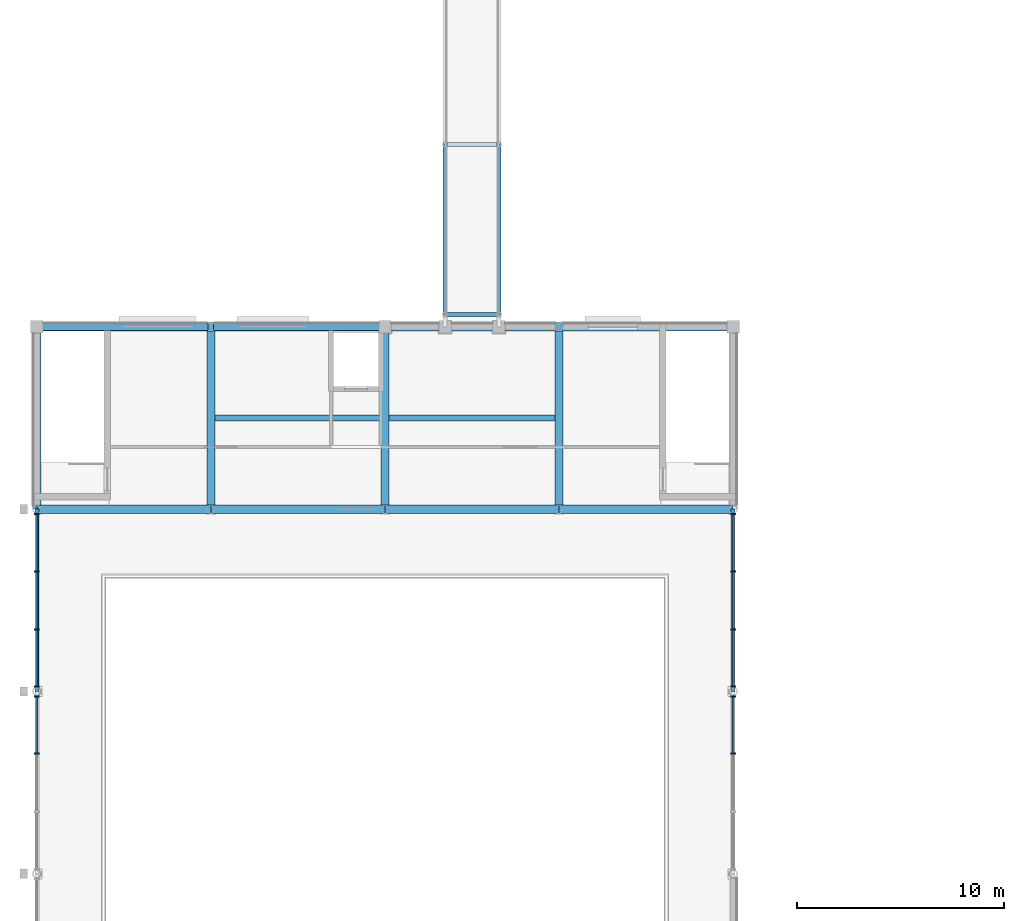
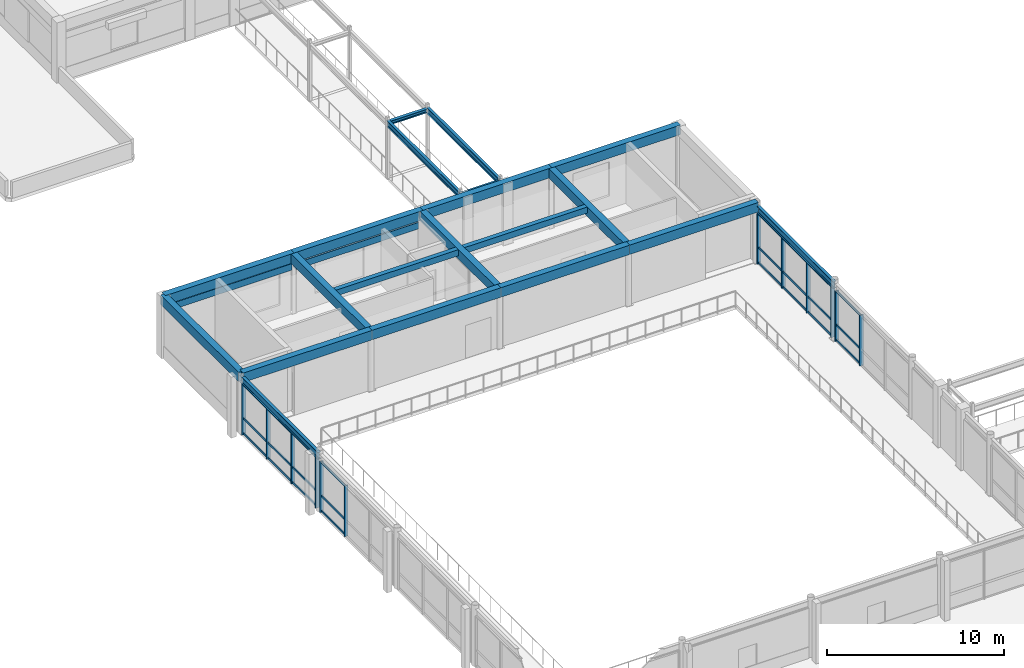
# One storey, part 14 of 57: 36 members, 22 beams, 4 elements without a shape of their own.
"""IFC4 building model written with IfcOpenShell, lengths in metres."""

from ifc_helpers import new_model, si_unit, direction, frame, origin, origin_2d, place, context, subcontext, project, spatial, rectangle, i_section, extrude, material, material_profile, profile_set, type_object, element, aggregate, save


model = new_model("IFC4")

# Units and contexts
model_context = context("Model", 3, precision=1e-05, world=origin(), true_north=direction((0.0, 1.0)))
body_context = subcontext(model_context, "Body", "Model", "MODEL_VIEW")
ifc_project = project(units=[si_unit("LENGTHUNIT", "METRE"), si_unit("AREAUNIT", "SQUARE_METRE"), si_unit("VOLUMEUNIT", "CUBIC_METRE"), si_unit("PLANEANGLEUNIT", "RADIAN"), si_unit("MASSUNIT", "GRAM", prefix="KILO")], contexts=[model_context])

# Site, building, storey
site_placement = place(None, origin())
site = spatial("IfcSite", under=ifc_project, at=site_placement, CompositionType="ELEMENT")
building_placement = place(site_placement, origin())
building = spatial("IfcBuilding", under=site, at=building_placement, Name="Kemercrest Conservatory and Botanical Centre", CompositionType="ELEMENT")
storey_placement = place(building_placement, frame((0.0, 0.0, 4.800048828125)))
storey = spatial("IfcBuildingStorey", under=building, at=storey_placement, Name="L01", CompositionType="ELEMENT", Elevation=4.800048828125)

# Beams
ifc_material_1 = material(Name="Steel CSA G40.21 350W", Category="steel")
ifc_material_profile_1 = material_profile(ifc_material_1, i_section(OverallWidth=0.180908203125, OverallDepth=0.4169921875, WebThickness=0.010986328125, FlangeThickness=0.018310546875, FilletRadius=0.01611328125, at=origin_2d()), Name="W410X85")
ifc_profile_set_1 = profile_set([ifc_material_profile_1], Name="Steel CSA G40.21 350W")
beam_type_1 = type_object("IfcBeamType", Name="BM-LB410", PredefinedType="BEAM", material=ifc_profile_set_1)
for number, where, z_axis, x_axis, name in (
    (1, (27.699951171875, 61.39990234375, 3.761474609375), (0.0, 1.0, 0.0), (-1.0, 0.0, 0.0), "Link bridge girder LB-01 SJ-2"),
    (2, (30.300048828125, 61.39990234375, 3.761474609375), (0.0, 1.0, 0.0), (-1.0, 0.0, 0.0), "Link bridge girder LB-01 SJ-2"),
):
    element("IfcBeam", number, at=place(storey_placement, frame(where, z_axis=z_axis, x_axis=x_axis)), inside=storey, type_object=beam_type_1, Name=name, PredefinedType="BEAM", context=body_context, shape_type="SweptSolid", body=[
        extrude(i_section(OverallWidth=0.180908203125, OverallDepth=0.4169921875, WebThickness=0.010986328125, FlangeThickness=0.018310546875, FilletRadius=0.01611328125, at=origin_2d()), origin(), (0.0, 0.0, 1.0), 8.2001953125),
    ])
ifc_material_2 = material(Name="Concrete C40/50", Category="concrete")
ifc_material_profile_2 = material_profile(ifc_material_2, rectangle(XDim=0.39990234375, YDim=0.64990234375, at=origin_2d()), Name="RC 400x650")
ifc_profile_set_2 = profile_set([ifc_material_profile_2], Name="Concrete C40/50")
beam_type_2 = type_object("IfcBeamType", Name="BM-RC65", PredefinedType="BEAM", material=ifc_profile_set_2)
for number, where, z_axis, x_axis, name in (
    (3, (16.39990234375, 52.0, 3.875), (0.0, 1.0, 0.0), (-1.0, 0.0, 0.0), "V1BAR-L02 beam BM-RC65 02/F-G"),
    (4, (24.800048828125, 52.0, 3.875), (0.0, 1.0, 0.0), (-1.0, 0.0, 0.0), "V1BAR-L02 beam BM-RC65 03/F-G"),
    (5, (33.199951171875, 52.0, 3.875), (0.0, 1.0, 0.0), (-1.0, 0.0, 0.0), "V1BAR-L02 beam BM-RC65 04/F-G"),
):
    element("IfcBeam", number, at=place(storey_placement, frame(where, z_axis=z_axis, x_axis=x_axis)), inside=storey, type_object=beam_type_2, Name=name, PredefinedType="BEAM", context=body_context, shape_type="SweptSolid", body=[
        extrude(rectangle(XDim=0.39990234375, YDim=0.64990234375, at=origin_2d()), origin(), (0.0, 0.0, 1.0), 8.800048828125),
    ])
ifc_material_profile_3 = material_profile(ifc_material_1, i_section(OverallWidth=0.194091796875, OverallDepth=0.468994140625, WebThickness=0.0126953125, FlangeThickness=0.0205078125, FilletRadius=0.01806640625, at=origin_2d()), Name="W460X106")
ifc_profile_set_3 = profile_set([ifc_material_profile_3], Name="Steel CSA G40.21 350W")
beam_type_3 = type_object("IfcBeamType", Name="BM-W460E", PredefinedType="BEAM", material=ifc_profile_set_3)
for number, where, z_axis, x_axis, name in (
    (6, (8.0, 43.199951171875, 3.725341796875), (0.0, 1.0, 0.0), (-1.0, 0.0, 0.0), "Conservatory glasshouse perimeter wind girt"),
    (7, (41.60009765625, 43.199951171875, 3.725341796875), (0.0, 1.0, 0.0), (-1.0, 0.0, 0.0), "Conservatory glasshouse perimeter wind girt"),
):
    element("IfcBeam", number, at=place(storey_placement, frame(where, z_axis=z_axis, x_axis=x_axis)), inside=storey, type_object=beam_type_3, Name=name, PredefinedType="BEAM", context=body_context, shape_type="SweptSolid", body=[
        extrude(i_section(OverallWidth=0.194091796875, OverallDepth=0.468994140625, WebThickness=0.0126953125, FlangeThickness=0.0205078125, FilletRadius=0.01806640625, at=origin_2d()), origin(), (0.0, 0.0, 1.0), 8.800048828125),
    ])

# Curtain wall, members
ifc_material_3 = material(Name="Thermally broken aluminium and triple low-e glazing", Category="aluminium")
curtain_wall_type_1 = type_object("IfcCurtainWallType", Name="CW-12", PredefinedType="USERDEFINED", material=ifc_material_3)
curtain_wall_1_placement = place(storey_placement, origin())
curtain_wall_1 = element("IfcCurtainWall", 8, at=curtain_wall_1_placement, inside=storey, type_object=curtain_wall_type_1, Name="Unitised curtain wall CW-12 (CW:L01:V1-011)", ObjectType="UNITISED CURTAIN WALL", PredefinedType="USERDEFINED")
ifc_material_4 = material(Name="Thermally broken anodized aluminium 6063-T6", Category="aluminium")
ifc_material_profile_4 = material_profile(ifc_material_4, rectangle(XDim=0.239990234375, YDim=0.074951171875, at=origin_2d()), Name="AL MULLION 75x240")
ifc_profile_set_4 = profile_set([ifc_material_profile_4], Name="Thermally broken anodized aluminium 6063-T6")
member_type_1 = type_object("IfcMemberType", Name="CW-M225", PredefinedType="MULLION", material=ifc_profile_set_4)
member_1_placement = place(storey_placement, frame((41.60009765625, 40.199951171875, 0.0), z_axis=(0.0, 0.0, 1.0), x_axis=(-1.0, 0.0, 0.0)))
member_1 = element("IfcMember", 9, at=member_1_placement, type_object=member_type_1, Name="CW-12 mullion 3", PredefinedType="MULLION", context=body_context, shape_type="SweptSolid", body=[
    extrude(rectangle(XDim=0.239990234375, YDim=0.074951171875, at=origin_2d()), origin(), (0.0, 0.0, 1.0), 3.495849609375),
])
member_2_placement = place(storey_placement, frame((41.60009765625, 42.96240234375, 0.0), z_axis=(0.0, 0.0, 1.0), x_axis=(-1.0, 0.0, 0.0)))
member_2 = element("IfcMember", 10, at=member_2_placement, type_object=member_type_1, Name="CW-12 mullion 4", PredefinedType="MULLION", context=body_context, shape_type="SweptSolid", body=[
    extrude(rectangle(XDim=0.239990234375, YDim=0.074951171875, at=origin_2d()), origin(), (0.0, 0.0, 1.0), 3.495849609375),
])

curtain_wall_type_2 = type_object("IfcCurtainWallType", Name="CW-13", PredefinedType="USERDEFINED", material=ifc_material_3)
curtain_wall_2_placement = place(storey_placement, origin())
curtain_wall_2 = element("IfcCurtainWall", 11, at=curtain_wall_2_placement, inside=storey, type_object=curtain_wall_type_2, Name="Unitised curtain wall CW-13 (CW:L01:V1-012)", ObjectType="UNITISED CURTAIN WALL", PredefinedType="USERDEFINED")
member_3_placement = place(storey_placement, frame((41.60009765625, 43.4375, 0.0), z_axis=(0.0, 0.0, 1.0), x_axis=(-1.0, 0.0, 0.0)))
member_3 = element("IfcMember", 12, at=member_3_placement, type_object=member_type_1, Name="CW-13 mullion 1", PredefinedType="MULLION", context=body_context, shape_type="SweptSolid", body=[
    extrude(rectangle(XDim=0.239990234375, YDim=0.074951171875, at=origin_2d()), origin(), (0.0, 0.0, 1.0), 3.495849609375),
])
member_4_placement = place(storey_placement, frame((41.60009765625, 46.199951171875, 0.0), z_axis=(0.0, 0.0, 1.0), x_axis=(-1.0, 0.0, 0.0)))
member_4 = element("IfcMember", 13, at=member_4_placement, type_object=member_type_1, Name="CW-13 mullion 2", PredefinedType="MULLION", context=body_context, shape_type="SweptSolid", body=[
    extrude(rectangle(XDim=0.239990234375, YDim=0.074951171875, at=origin_2d()), origin(), (0.0, 0.0, 1.0), 3.495849609375),
])
member_5_placement = place(storey_placement, frame((41.60009765625, 49.0, 0.0), z_axis=(0.0, 0.0, 1.0), x_axis=(-1.0, 0.0, 0.0)))
member_5 = element("IfcMember", 14, at=member_5_placement, type_object=member_type_1, Name="CW-13 mullion 3", PredefinedType="MULLION", context=body_context, shape_type="SweptSolid", body=[
    extrude(rectangle(XDim=0.239990234375, YDim=0.074951171875, at=origin_2d()), origin(), (0.0, 0.0, 1.0), 3.495849609375),
])
member_6_placement = place(storey_placement, frame((41.60009765625, 51.762451171875, 0.0), z_axis=(0.0, 0.0, 1.0), x_axis=(-1.0, 0.0, 0.0)))
member_6 = element("IfcMember", 15, at=member_6_placement, type_object=member_type_1, Name="CW-13 mullion 4", PredefinedType="MULLION", context=body_context, shape_type="SweptSolid", body=[
    extrude(rectangle(XDim=0.239990234375, YDim=0.074951171875, at=origin_2d()), origin(), (0.0, 0.0, 1.0), 3.495849609375),
])

curtain_wall_type_3 = type_object("IfcCurtainWallType", Name="CW-14", PredefinedType="USERDEFINED", material=ifc_material_3)
curtain_wall_3_placement = place(storey_placement, origin())
curtain_wall_3 = element("IfcCurtainWall", 16, at=curtain_wall_3_placement, inside=storey, type_object=curtain_wall_type_3, Name="Unitised curtain wall CW-14 (CW:L01:V1-013)", ObjectType="UNITISED CURTAIN WALL", PredefinedType="USERDEFINED")
member_7_placement = place(storey_placement, frame((8.0, 51.762451171875, 0.0), z_axis=(0.0, 0.0, 1.0), x_axis=(1.0, 0.0, 0.0)))
member_7 = element("IfcMember", 17, at=member_7_placement, type_object=member_type_1, Name="CW-14 mullion 1", PredefinedType="MULLION", context=body_context, shape_type="SweptSolid", body=[
    extrude(rectangle(XDim=0.239990234375, YDim=0.074951171875, at=origin_2d()), origin(), (0.0, 0.0, 1.0), 3.495849609375),
])
member_8_placement = place(storey_placement, frame((8.0, 49.0, 0.0), z_axis=(0.0, 0.0, 1.0), x_axis=(1.0, 0.0, 0.0)))
member_8 = element("IfcMember", 18, at=member_8_placement, type_object=member_type_1, Name="CW-14 mullion 2", PredefinedType="MULLION", context=body_context, shape_type="SweptSolid", body=[
    extrude(rectangle(XDim=0.239990234375, YDim=0.074951171875, at=origin_2d()), origin(), (0.0, 0.0, 1.0), 3.495849609375),
])
member_9_placement = place(storey_placement, frame((8.0, 46.199951171875, 0.0), z_axis=(0.0, 0.0, 1.0), x_axis=(1.0, 0.0, 0.0)))
member_9 = element("IfcMember", 19, at=member_9_placement, type_object=member_type_1, Name="CW-14 mullion 3", PredefinedType="MULLION", context=body_context, shape_type="SweptSolid", body=[
    extrude(rectangle(XDim=0.239990234375, YDim=0.074951171875, at=origin_2d()), origin(), (0.0, 0.0, 1.0), 3.495849609375),
])
member_10_placement = place(storey_placement, frame((8.0, 43.4375, 0.0), z_axis=(0.0, 0.0, 1.0), x_axis=(1.0, 0.0, 0.0)))
member_10 = element("IfcMember", 20, at=member_10_placement, type_object=member_type_1, Name="CW-14 mullion 4", PredefinedType="MULLION", context=body_context, shape_type="SweptSolid", body=[
    extrude(rectangle(XDim=0.239990234375, YDim=0.074951171875, at=origin_2d()), origin(), (0.0, 0.0, 1.0), 3.495849609375),
])

curtain_wall_type_4 = type_object("IfcCurtainWallType", Name="CW-15", PredefinedType="USERDEFINED", material=ifc_material_3)
curtain_wall_4_placement = place(storey_placement, origin())
curtain_wall_4 = element("IfcCurtainWall", 21, at=curtain_wall_4_placement, inside=storey, type_object=curtain_wall_type_4, Name="Unitised curtain wall CW-15 (CW:L01:V1-014)", ObjectType="UNITISED CURTAIN WALL", PredefinedType="USERDEFINED")
member_11_placement = place(storey_placement, frame((8.0, 42.96240234375, 0.0), z_axis=(0.0, 0.0, 1.0), x_axis=(1.0, 0.0, 0.0)))
member_11 = element("IfcMember", 22, at=member_11_placement, type_object=member_type_1, Name="CW-15 mullion 1", PredefinedType="MULLION", context=body_context, shape_type="SweptSolid", body=[
    extrude(rectangle(XDim=0.239990234375, YDim=0.074951171875, at=origin_2d()), origin(), (0.0, 0.0, 1.0), 3.495849609375),
])
member_12_placement = place(storey_placement, frame((8.0, 40.199951171875, 0.0), z_axis=(0.0, 0.0, 1.0), x_axis=(1.0, 0.0, 0.0)))
member_12 = element("IfcMember", 23, at=member_12_placement, type_object=member_type_1, Name="CW-15 mullion 2", PredefinedType="MULLION", context=body_context, shape_type="SweptSolid", body=[
    extrude(rectangle(XDim=0.239990234375, YDim=0.074951171875, at=origin_2d()), origin(), (0.0, 0.0, 1.0), 3.495849609375),
])

# Member
ifc_material_profile_5 = material_profile(ifc_material_4, rectangle(XDim=0.06494140625, YDim=0.14990234375, at=origin_2d()), Name="AL TRANSOM 65x150")
ifc_profile_set_5 = profile_set([ifc_material_profile_5], Name="Thermally broken anodized aluminium 6063-T6")
member_type_2 = type_object("IfcMemberType", Name="CW-T200", PredefinedType="USERDEFINED", material=ifc_profile_set_5)
member_13_placement = place(storey_placement, frame((41.60009765625, 40.237548828125, 0.074951171875), z_axis=(0.0, 1.0, 0.0), x_axis=(-1.0, 0.0, 0.0)))
member_13 = element("IfcMember", 24, at=member_13_placement, type_object=member_type_2, Name="CW-12 transom 3.1", ObjectType="TRANSOM", PredefinedType="USERDEFINED", context=body_context, shape_type="SweptSolid", body=[
    extrude(rectangle(XDim=0.06494140625, YDim=0.14990234375, at=origin_2d()), origin(), (0.0, 0.0, 1.0), 2.6875),
])

member_14_placement = place(storey_placement, frame((41.60009765625, 40.237548828125, 1.119873046875), z_axis=(0.0, 1.0, 0.0), x_axis=(-1.0, 0.0, 0.0)))
member_14 = element("IfcMember", 25, at=member_14_placement, type_object=member_type_2, Name="CW-12 transom 3.2", ObjectType="TRANSOM", PredefinedType="USERDEFINED", context=body_context, shape_type="SweptSolid", body=[
    extrude(rectangle(XDim=0.06494140625, YDim=0.14990234375, at=origin_2d()), origin(), (0.0, 0.0, 1.0), 2.6875),
])

member_15_placement = place(storey_placement, frame((41.60009765625, 40.237548828125, 3.4208984375), z_axis=(0.0, 1.0, 0.0), x_axis=(-1.0, 0.0, 0.0)))
member_15 = element("IfcMember", 26, at=member_15_placement, type_object=member_type_2, Name="CW-12 transom 3.3", ObjectType="TRANSOM", PredefinedType="USERDEFINED", context=body_context, shape_type="SweptSolid", body=[
    extrude(rectangle(XDim=0.06494140625, YDim=0.14990234375, at=origin_2d()), origin(), (0.0, 0.0, 1.0), 2.6875),
])

aggregate(curtain_wall_1, [member_1, member_2, member_13, member_14, member_15])

member_16_placement = place(storey_placement, frame((41.60009765625, 43.47509765625, 0.074951171875), z_axis=(0.0, 1.0, 0.0), x_axis=(-1.0, 0.0, 0.0)))
member_16 = element("IfcMember", 27, at=member_16_placement, type_object=member_type_2, Name="CW-13 transom 1.1", ObjectType="TRANSOM", PredefinedType="USERDEFINED", context=body_context, shape_type="SweptSolid", body=[
    extrude(rectangle(XDim=0.06494140625, YDim=0.14990234375, at=origin_2d()), origin(), (0.0, 0.0, 1.0), 2.6875),
])

member_17_placement = place(storey_placement, frame((41.60009765625, 43.47509765625, 1.119873046875), z_axis=(0.0, 1.0, 0.0), x_axis=(-1.0, 0.0, 0.0)))
member_17 = element("IfcMember", 28, at=member_17_placement, type_object=member_type_2, Name="CW-13 transom 1.2", ObjectType="TRANSOM", PredefinedType="USERDEFINED", context=body_context, shape_type="SweptSolid", body=[
    extrude(rectangle(XDim=0.06494140625, YDim=0.14990234375, at=origin_2d()), origin(), (0.0, 0.0, 1.0), 2.6875),
])

member_18_placement = place(storey_placement, frame((41.60009765625, 43.47509765625, 3.4208984375), z_axis=(0.0, 1.0, 0.0), x_axis=(-1.0, 0.0, 0.0)))
member_18 = element("IfcMember", 29, at=member_18_placement, type_object=member_type_2, Name="CW-13 transom 1.3", ObjectType="TRANSOM", PredefinedType="USERDEFINED", context=body_context, shape_type="SweptSolid", body=[
    extrude(rectangle(XDim=0.06494140625, YDim=0.14990234375, at=origin_2d()), origin(), (0.0, 0.0, 1.0), 2.6875),
])

member_19_placement = place(storey_placement, frame((41.60009765625, 46.237548828125, 0.074951171875), z_axis=(0.0, 1.0, 0.0), x_axis=(-1.0, 0.0, 0.0)))
member_19 = element("IfcMember", 30, at=member_19_placement, type_object=member_type_2, Name="CW-13 transom 2.1", ObjectType="TRANSOM", PredefinedType="USERDEFINED", context=body_context, shape_type="SweptSolid", body=[
    extrude(rectangle(XDim=0.06494140625, YDim=0.14990234375, at=origin_2d()), origin(), (0.0, 0.0, 1.0), 2.724853515625),
])

member_20_placement = place(storey_placement, frame((41.60009765625, 46.237548828125, 1.119873046875), z_axis=(0.0, 1.0, 0.0), x_axis=(-1.0, 0.0, 0.0)))
member_20 = element("IfcMember", 31, at=member_20_placement, type_object=member_type_2, Name="CW-13 transom 2.2", ObjectType="TRANSOM", PredefinedType="USERDEFINED", context=body_context, shape_type="SweptSolid", body=[
    extrude(rectangle(XDim=0.06494140625, YDim=0.14990234375, at=origin_2d()), origin(), (0.0, 0.0, 1.0), 2.724853515625),
])

member_21_placement = place(storey_placement, frame((41.60009765625, 46.237548828125, 3.4208984375), z_axis=(0.0, 1.0, 0.0), x_axis=(-1.0, 0.0, 0.0)))
member_21 = element("IfcMember", 32, at=member_21_placement, type_object=member_type_2, Name="CW-13 transom 2.3", ObjectType="TRANSOM", PredefinedType="USERDEFINED", context=body_context, shape_type="SweptSolid", body=[
    extrude(rectangle(XDim=0.06494140625, YDim=0.14990234375, at=origin_2d()), origin(), (0.0, 0.0, 1.0), 2.724853515625),
])

member_22_placement = place(storey_placement, frame((41.60009765625, 49.03759765625, 0.074951171875), z_axis=(0.0, 1.0, 0.0), x_axis=(-1.0, 0.0, 0.0)))
member_22 = element("IfcMember", 33, at=member_22_placement, type_object=member_type_2, Name="CW-13 transom 3.1", ObjectType="TRANSOM", PredefinedType="USERDEFINED", context=body_context, shape_type="SweptSolid", body=[
    extrude(rectangle(XDim=0.06494140625, YDim=0.14990234375, at=origin_2d()), origin(), (0.0, 0.0, 1.0), 2.6875),
])

member_23_placement = place(storey_placement, frame((41.60009765625, 49.03759765625, 1.119873046875), z_axis=(0.0, 1.0, 0.0), x_axis=(-1.0, 0.0, 0.0)))
member_23 = element("IfcMember", 34, at=member_23_placement, type_object=member_type_2, Name="CW-13 transom 3.2", ObjectType="TRANSOM", PredefinedType="USERDEFINED", context=body_context, shape_type="SweptSolid", body=[
    extrude(rectangle(XDim=0.06494140625, YDim=0.14990234375, at=origin_2d()), origin(), (0.0, 0.0, 1.0), 2.6875),
])

member_24_placement = place(storey_placement, frame((41.60009765625, 49.03759765625, 3.4208984375), z_axis=(0.0, 1.0, 0.0), x_axis=(-1.0, 0.0, 0.0)))
member_24 = element("IfcMember", 35, at=member_24_placement, type_object=member_type_2, Name="CW-13 transom 3.3", ObjectType="TRANSOM", PredefinedType="USERDEFINED", context=body_context, shape_type="SweptSolid", body=[
    extrude(rectangle(XDim=0.06494140625, YDim=0.14990234375, at=origin_2d()), origin(), (0.0, 0.0, 1.0), 2.6875),
])

aggregate(curtain_wall_2, [member_3, member_4, member_5, member_6, member_16, member_17, member_18, member_19, member_20, member_21, member_22, member_23, member_24])

member_25_placement = place(storey_placement, frame((8.0, 51.72509765625, 0.074951171875), z_axis=(0.0, -1.0, 0.0), x_axis=(1.0, 0.0, 0.0)))
member_25 = element("IfcMember", 36, at=member_25_placement, type_object=member_type_2, Name="CW-14 transom 1.1", ObjectType="TRANSOM", PredefinedType="USERDEFINED", context=body_context, shape_type="SweptSolid", body=[
    extrude(rectangle(XDim=0.06494140625, YDim=0.14990234375, at=origin_2d()), origin(), (0.0, 0.0, 1.0), 2.6875),
])

member_26_placement = place(storey_placement, frame((8.0, 51.72509765625, 1.119873046875), z_axis=(0.0, -1.0, 0.0), x_axis=(1.0, 0.0, 0.0)))
member_26 = element("IfcMember", 37, at=member_26_placement, type_object=member_type_2, Name="CW-14 transom 1.2", ObjectType="TRANSOM", PredefinedType="USERDEFINED", context=body_context, shape_type="SweptSolid", body=[
    extrude(rectangle(XDim=0.06494140625, YDim=0.14990234375, at=origin_2d()), origin(), (0.0, 0.0, 1.0), 2.6875),
])

member_27_placement = place(storey_placement, frame((8.0, 51.72509765625, 3.4208984375), z_axis=(0.0, -1.0, 0.0), x_axis=(1.0, 0.0, 0.0)))
member_27 = element("IfcMember", 38, at=member_27_placement, type_object=member_type_2, Name="CW-14 transom 1.3", ObjectType="TRANSOM", PredefinedType="USERDEFINED", context=body_context, shape_type="SweptSolid", body=[
    extrude(rectangle(XDim=0.06494140625, YDim=0.14990234375, at=origin_2d()), origin(), (0.0, 0.0, 1.0), 2.6875),
])

member_28_placement = place(storey_placement, frame((8.0, 48.96240234375, 0.074951171875), z_axis=(0.0, -1.0, 0.0), x_axis=(1.0, 0.0, 0.0)))
member_28 = element("IfcMember", 39, at=member_28_placement, type_object=member_type_2, Name="CW-14 transom 2.1", ObjectType="TRANSOM", PredefinedType="USERDEFINED", context=body_context, shape_type="SweptSolid", body=[
    extrude(rectangle(XDim=0.06494140625, YDim=0.14990234375, at=origin_2d()), origin(), (0.0, 0.0, 1.0), 2.724853515625),
])

member_29_placement = place(storey_placement, frame((8.0, 48.96240234375, 1.119873046875), z_axis=(0.0, -1.0, 0.0), x_axis=(1.0, 0.0, 0.0)))
member_29 = element("IfcMember", 40, at=member_29_placement, type_object=member_type_2, Name="CW-14 transom 2.2", ObjectType="TRANSOM", PredefinedType="USERDEFINED", context=body_context, shape_type="SweptSolid", body=[
    extrude(rectangle(XDim=0.06494140625, YDim=0.14990234375, at=origin_2d()), origin(), (0.0, 0.0, 1.0), 2.724853515625),
])

member_30_placement = place(storey_placement, frame((8.0, 48.96240234375, 3.4208984375), z_axis=(0.0, -1.0, 0.0), x_axis=(1.0, 0.0, 0.0)))
member_30 = element("IfcMember", 41, at=member_30_placement, type_object=member_type_2, Name="CW-14 transom 2.3", ObjectType="TRANSOM", PredefinedType="USERDEFINED", context=body_context, shape_type="SweptSolid", body=[
    extrude(rectangle(XDim=0.06494140625, YDim=0.14990234375, at=origin_2d()), origin(), (0.0, 0.0, 1.0), 2.724853515625),
])

member_31_placement = place(storey_placement, frame((8.0, 46.16259765625, 0.074951171875), z_axis=(0.0, -1.0, 0.0), x_axis=(1.0, 0.0, 0.0)))
member_31 = element("IfcMember", 42, at=member_31_placement, type_object=member_type_2, Name="CW-14 transom 3.1", ObjectType="TRANSOM", PredefinedType="USERDEFINED", context=body_context, shape_type="SweptSolid", body=[
    extrude(rectangle(XDim=0.06494140625, YDim=0.14990234375, at=origin_2d()), origin(), (0.0, 0.0, 1.0), 2.6875),
])

member_32_placement = place(storey_placement, frame((8.0, 46.16259765625, 1.119873046875), z_axis=(0.0, -1.0, 0.0), x_axis=(1.0, 0.0, 0.0)))
member_32 = element("IfcMember", 43, at=member_32_placement, type_object=member_type_2, Name="CW-14 transom 3.2", ObjectType="TRANSOM", PredefinedType="USERDEFINED", context=body_context, shape_type="SweptSolid", body=[
    extrude(rectangle(XDim=0.06494140625, YDim=0.14990234375, at=origin_2d()), origin(), (0.0, 0.0, 1.0), 2.6875),
])

member_33_placement = place(storey_placement, frame((8.0, 46.16259765625, 3.4208984375), z_axis=(0.0, -1.0, 0.0), x_axis=(1.0, 0.0, 0.0)))
member_33 = element("IfcMember", 44, at=member_33_placement, type_object=member_type_2, Name="CW-14 transom 3.3", ObjectType="TRANSOM", PredefinedType="USERDEFINED", context=body_context, shape_type="SweptSolid", body=[
    extrude(rectangle(XDim=0.06494140625, YDim=0.14990234375, at=origin_2d()), origin(), (0.0, 0.0, 1.0), 2.6875),
])

aggregate(curtain_wall_3, [member_7, member_8, member_9, member_10, member_25, member_26, member_27, member_28, member_29, member_30, member_31, member_32, member_33])

member_34_placement = place(storey_placement, frame((8.0, 42.925048828125, 0.074951171875), z_axis=(0.0, -1.0, 0.0), x_axis=(1.0, 0.0, 0.0)))
member_34 = element("IfcMember", 45, at=member_34_placement, type_object=member_type_2, Name="CW-15 transom 1.1", ObjectType="TRANSOM", PredefinedType="USERDEFINED", context=body_context, shape_type="SweptSolid", body=[
    extrude(rectangle(XDim=0.06494140625, YDim=0.14990234375, at=origin_2d()), origin(), (0.0, 0.0, 1.0), 2.6875),
])

member_35_placement = place(storey_placement, frame((8.0, 42.925048828125, 1.119873046875), z_axis=(0.0, -1.0, 0.0), x_axis=(1.0, 0.0, 0.0)))
member_35 = element("IfcMember", 46, at=member_35_placement, type_object=member_type_2, Name="CW-15 transom 1.2", ObjectType="TRANSOM", PredefinedType="USERDEFINED", context=body_context, shape_type="SweptSolid", body=[
    extrude(rectangle(XDim=0.06494140625, YDim=0.14990234375, at=origin_2d()), origin(), (0.0, 0.0, 1.0), 2.6875),
])

member_36_placement = place(storey_placement, frame((8.0, 42.925048828125, 3.4208984375), z_axis=(0.0, -1.0, 0.0), x_axis=(1.0, 0.0, 0.0)))
member_36 = element("IfcMember", 47, at=member_36_placement, type_object=member_type_2, Name="CW-15 transom 1.3", ObjectType="TRANSOM", PredefinedType="USERDEFINED", context=body_context, shape_type="SweptSolid", body=[
    extrude(rectangle(XDim=0.06494140625, YDim=0.14990234375, at=origin_2d()), origin(), (0.0, 0.0, 1.0), 2.6875),
])

aggregate(curtain_wall_4, [member_11, member_12, member_34, member_35, member_36])

# Beams
ifc_material_profile_6 = material_profile(ifc_material_2, rectangle(XDim=0.300048828125, YDim=0.419921875, at=origin_2d()), Name="RC 300x420")
ifc_profile_set_6 = profile_set([ifc_material_profile_6], Name="Concrete C40/50")
beam_type_4 = type_object("IfcBeamType", Name="JS-RC42", PredefinedType="JOIST", material=ifc_profile_set_6)
for number, where, z_axis, x_axis, name in (
    (48, (16.60009765625, 56.39990234375, 3.989990234375), (1.0, 0.0, 0.0), (0.0, 1.0, 0.0), "V1BAR-L02 secondary joist JS-RC42"),
    (49, (25.0, 56.39990234375, 3.989990234375), (1.0, 0.0, 0.0), (0.0, 1.0, 0.0), "V1BAR-L02 secondary joist JS-RC42"),
):
    element("IfcBeam", number, at=place(storey_placement, frame(where, z_axis=z_axis, x_axis=x_axis)), inside=storey, type_object=beam_type_4, Name=name, PredefinedType="JOIST", context=body_context, shape_type="SweptSolid", body=[
        extrude(rectangle(XDim=0.300048828125, YDim=0.419921875, at=origin_2d()), origin(), (0.0, 0.0, 1.0), 8.0),
    ])
ifc_material_profile_7 = material_profile(ifc_material_1, i_section(OverallWidth=0.202880859375, OverallDepth=0.251953125, WebThickness=0.008056640625, FlangeThickness=0.013427734375, FilletRadius=0.010986328125, at=origin_2d()), Name="W250X58")
ifc_profile_set_7 = profile_set([ifc_material_profile_7], Name="Steel CSA G40.21 350W")
beam_type_5 = type_object("IfcBeamType", Name="JS-W250", PredefinedType="JOIST", material=ifc_profile_set_7)
for number, where, z_axis, x_axis, name in (
    (50, (27.79052734375, 61.39990234375, 3.761474609375), (1.0, 0.0, 0.0), (0.0, 1.0, 0.0), "Link bridge cross beam SJ-2"),
    (51, (27.79052734375, 69.60009765625, 3.761474609375), (1.0, 0.0, 0.0), (0.0, 1.0, 0.0), "Link bridge cross beam SJ-2"),
):
    element("IfcBeam", number, at=place(storey_placement, frame(where, z_axis=z_axis, x_axis=x_axis)), inside=storey, type_object=beam_type_5, Name=name, PredefinedType="JOIST", context=body_context, shape_type="SweptSolid", body=[
        extrude(i_section(OverallWidth=0.202880859375, OverallDepth=0.251953125, WebThickness=0.008056640625, FlangeThickness=0.013427734375, FilletRadius=0.010986328125, at=origin_2d()), origin(), (0.0, 0.0, 1.0), 2.4189453125),
    ])
ifc_material_5 = material(Name="Precast concrete C40/50", Category="concrete")
ifc_material_profile_8 = material_profile(ifc_material_5, rectangle(XDim=0.35009765625, YDim=0.449951171875, at=origin_2d()), Name="RC 350x450")
ifc_profile_set_8 = profile_set([ifc_material_profile_8], Name="Precast concrete C40/50")
beam_type_6 = type_object("IfcBeamType", Name="LN-RC46", PredefinedType="LINTEL", material=ifc_profile_set_8)
for number, where, z_axis, x_axis, name in (
    (52, (24.550048828125, 60.800048828125, 3.224853515625), (-1.0, 0.0, 0.0), (0.0, -1.0, 0.0), "Precast arched window lintel (WIN:L01:EXT-018)"),
    (53, (16.2685546875, 60.800048828125, 3.27490234375), (-1.0, 0.0, 0.0), (0.0, -1.0, 0.0), "Precast arched window lintel (WIN:L01:EXT-019)"),
):
    element("IfcBeam", number, at=place(storey_placement, frame(where, z_axis=z_axis, x_axis=x_axis)), inside=storey, type_object=beam_type_6, Name=name, PredefinedType="LINTEL", context=body_context, shape_type="SweptSolid", body=[
        extrude(rectangle(XDim=0.35009765625, YDim=0.449951171875, at=origin_2d()), origin(), (0.0, 0.0, 1.0), 8.0185546875),
    ])
ifc_material_profile_9 = material_profile(ifc_material_2, rectangle(XDim=0.39990234375, YDim=0.64990234375, at=origin_2d()), Name="RC 400x650")
ifc_profile_set_9 = profile_set([ifc_material_profile_9], Name="Concrete C40/50")
beam_type_7 = type_object("IfcBeamType", Name="SP-RC65", PredefinedType="SPANDREL", material=ifc_profile_set_9)
beam_1_placement = place(storey_placement, frame((8.0, 52.0, 3.875), z_axis=(1.0, 0.0, 0.0), x_axis=(0.0, 1.0, 0.0)))
element("IfcBeam", 54, at=beam_1_placement, inside=storey, type_object=beam_type_7, Name="V1BAR-L02 beam SP-RC65 F/01-02", PredefinedType="SPANDREL", context=body_context, shape_type="SweptSolid", body=[
    extrude(rectangle(XDim=0.39990234375, YDim=0.64990234375, at=origin_2d()), origin(), (0.0, 0.0, 1.0), 8.39990234375),
])
beam_2_placement = place(storey_placement, frame((16.39990234375, 52.0, 3.875), z_axis=(1.0, 0.0, 0.0), x_axis=(0.0, 1.0, 0.0)))
element("IfcBeam", 55, at=beam_2_placement, inside=storey, type_object=beam_type_7, Name="V1BAR-L02 beam SP-RC65 F/02-03", PredefinedType="SPANDREL", context=body_context, shape_type="SweptSolid", body=[
    extrude(rectangle(XDim=0.39990234375, YDim=0.64990234375, at=origin_2d()), origin(), (0.0, 0.0, 1.0), 8.400146484375),
])
beam_3_placement = place(storey_placement, frame((24.800048828125, 52.0, 3.875), z_axis=(1.0, 0.0, 0.0), x_axis=(0.0, 1.0, 0.0)))
element("IfcBeam", 56, at=beam_3_placement, inside=storey, type_object=beam_type_7, Name="V1BAR-L02 beam SP-RC65 F/03-04", PredefinedType="SPANDREL", context=body_context, shape_type="SweptSolid", body=[
    extrude(rectangle(XDim=0.39990234375, YDim=0.64990234375, at=origin_2d()), origin(), (0.0, 0.0, 1.0), 8.39990234375),
])
beam_4_placement = place(storey_placement, frame((33.199951171875, 52.0, 3.875), z_axis=(1.0, 0.0, 0.0), x_axis=(0.0, 1.0, 0.0)))
element("IfcBeam", 57, at=beam_4_placement, inside=storey, type_object=beam_type_7, Name="V1BAR-L02 beam SP-RC65 F/04-05", PredefinedType="SPANDREL", context=body_context, shape_type="SweptSolid", body=[
    extrude(rectangle(XDim=0.39990234375, YDim=0.64990234375, at=origin_2d()), origin(), (0.0, 0.0, 1.0), 8.400146484375),
])
beam_5_placement = place(storey_placement, frame((8.0, 60.800048828125, 3.875), z_axis=(1.0, 0.0, 0.0), x_axis=(0.0, 1.0, 0.0)))
element("IfcBeam", 58, at=beam_5_placement, inside=storey, type_object=beam_type_7, Name="V1BAR-L02 beam SP-RC65 G/01-02", PredefinedType="SPANDREL", context=body_context, shape_type="SweptSolid", body=[
    extrude(rectangle(XDim=0.39990234375, YDim=0.64990234375, at=origin_2d()), origin(), (0.0, 0.0, 1.0), 8.39990234375),
])
beam_6_placement = place(storey_placement, frame((16.39990234375, 60.800048828125, 3.875), z_axis=(1.0, 0.0, 0.0), x_axis=(0.0, 1.0, 0.0)))
element("IfcBeam", 59, at=beam_6_placement, inside=storey, type_object=beam_type_7, Name="V1BAR-L02 beam SP-RC65 G/02-03", PredefinedType="SPANDREL", context=body_context, shape_type="SweptSolid", body=[
    extrude(rectangle(XDim=0.39990234375, YDim=0.64990234375, at=origin_2d()), origin(), (0.0, 0.0, 1.0), 8.400146484375),
])
beam_7_placement = place(storey_placement, frame((24.800048828125, 60.800048828125, 3.875), z_axis=(1.0, 0.0, 0.0), x_axis=(0.0, 1.0, 0.0)))
element("IfcBeam", 60, at=beam_7_placement, inside=storey, type_object=beam_type_7, Name="V1BAR-L02 beam SP-RC65 G/03-04", PredefinedType="SPANDREL", context=body_context, shape_type="SweptSolid", body=[
    extrude(rectangle(XDim=0.39990234375, YDim=0.64990234375, at=origin_2d()), origin(), (0.0, 0.0, 1.0), 8.39990234375),
])
beam_8_placement = place(storey_placement, frame((33.199951171875, 60.800048828125, 3.875), z_axis=(1.0, 0.0, 0.0), x_axis=(0.0, 1.0, 0.0)))
element("IfcBeam", 61, at=beam_8_placement, inside=storey, type_object=beam_type_7, Name="V1BAR-L02 beam SP-RC65 G/04-05", PredefinedType="SPANDREL", context=body_context, shape_type="SweptSolid", body=[
    extrude(rectangle(XDim=0.39990234375, YDim=0.64990234375, at=origin_2d()), origin(), (0.0, 0.0, 1.0), 8.400146484375),
])
beam_9_placement = place(storey_placement, frame((8.0, 52.0, 3.875), z_axis=(0.0, 1.0, 0.0), x_axis=(-1.0, 0.0, 0.0)))
element("IfcBeam", 62, at=beam_9_placement, inside=storey, type_object=beam_type_7, Name="V1BAR-L02 beam SP-RC65 01/F-G", PredefinedType="SPANDREL", context=body_context, shape_type="SweptSolid", body=[
    extrude(rectangle(XDim=0.39990234375, YDim=0.64990234375, at=origin_2d()), origin(), (0.0, 0.0, 1.0), 8.800048828125),
])

save(model, "model.ifc")
